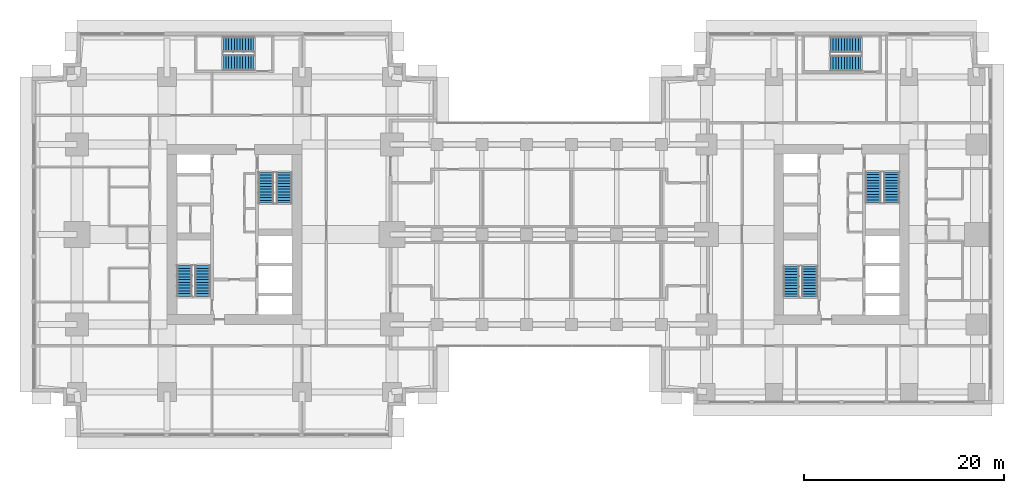
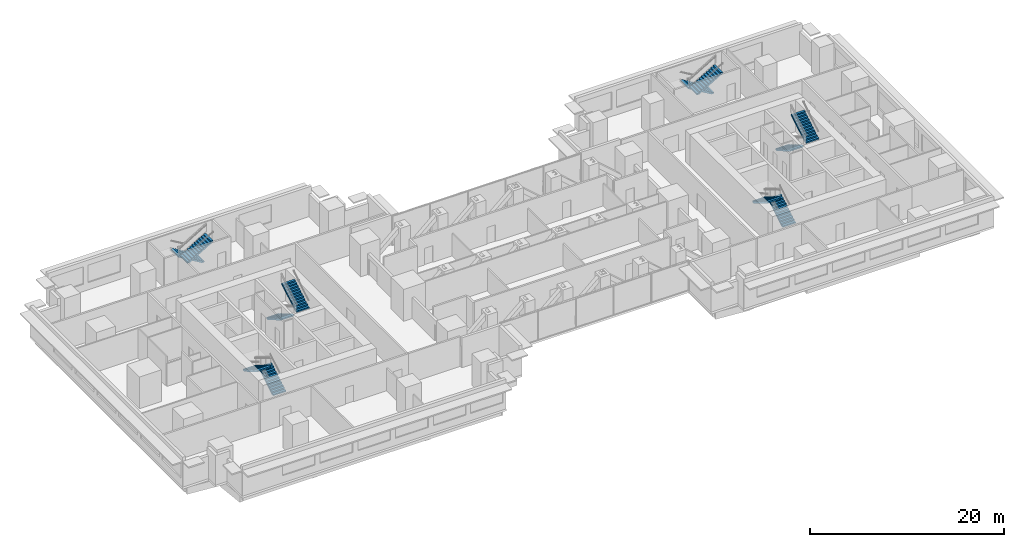
# One storey, part 13 of 16: 12 stair flights, 6 elements without a shape of their own.
"""IFC4 building model written with IfcOpenShell, lengths in metres."""

from ifc_helpers import new_model, si_unit, direction, frame, origin, place, context, subcontext, project, spatial, polyline, outline, extrude, material, type_object, element, aggregate, save


model = new_model("IFC4")

# Units and contexts
model_context = context("Model", 3, precision=1e-05, world=origin(), true_north=direction((0.0, 1.0)))
body_context = subcontext(model_context, "Body", "Model", "MODEL_VIEW")
ifc_project = project(units=[si_unit("LENGTHUNIT", "METRE"), si_unit("AREAUNIT", "SQUARE_METRE"), si_unit("VOLUMEUNIT", "CUBIC_METRE"), si_unit("PLANEANGLEUNIT", "RADIAN"), si_unit("MASSUNIT", "GRAM", prefix="KILO")], contexts=[model_context])

# Site, building, storey
site_placement = place(None, origin())
site = spatial("IfcSite", under=ifc_project, at=site_placement, CompositionType="ELEMENT")
building_placement = place(site_placement, origin())
building = spatial("IfcBuilding", under=site, at=building_placement, Name="Namib Vertical Campus", CompositionType="ELEMENT")
storey_placement = place(building_placement, frame((0.0, 0.0, 121.0)))
storey = spatial("IfcBuildingStorey", under=building, at=storey_placement, Name="L28", CompositionType="ELEMENT", Elevation=121.0)

# Stair, stair flights
ifc_material_1 = material(Name="Concrete C40/50 precast", Category="concrete")
stair_type_1 = type_object("IfcStairType", Name="Exit stair 4000 rise 24 risers 3350 wide", PredefinedType="HALF_TURN_STAIR", material=ifc_material_1)
stair_1_placement = place(storey_placement, origin())
stair_1 = element("IfcStair", 1, at=stair_1_placement, inside=storey, type_object=stair_type_1, Name="Exit stair A-S1 L28", PredefinedType="HALF_TURN_STAIR")
ifc_material_2 = material(Name="Concrete C40/50 precast", Category="concrete")
stair_flight_type_1 = type_object("IfcStairFlightType", Name="Stair flight 12 risers 167 1525 wide", PredefinedType="STRAIGHT", material=ifc_material_2)
stair_flight_1_placement = place(storey_placement, frame((17.08740234375, 14.050048828125, 0.0), z_axis=(0.0, 0.0, 1.0), x_axis=(0.0, 1.0, 0.0)))
stair_flight_1 = element("IfcStairFlight", 2, at=stair_flight_1_placement, type_object=stair_flight_type_1, Name="A-S1 flight 1", NumberOfRisers=12, NumberOfTreads=11, PredefinedType="STRAIGHT", RiserHeight=0.166666667, TreadLength=0.28, context=body_context, shape_type="SweptSolid", body=[
    extrude(outline(polyline([(0.0, 0.0), (0.0, 0.166748046875), (0.280029296875, 0.166748046875), (0.280029296875, 0.333251953125), (0.56005859375, 0.333251953125), (0.56005859375, 0.5), (0.840087890625, 0.5), (0.840087890625, 0.666748046875), (1.1201171875, 0.666748046875), (1.1201171875, 0.833251953125), (1.39990234375, 0.833251953125), (1.39990234375, 1.0), (1.679931640625, 1.0), (1.679931640625, 1.166748046875), (1.9599609375, 1.166748046875), (1.9599609375, 1.333251953125), (2.239990234375, 1.333251953125), (2.239990234375, 1.5), (2.52001953125, 1.5), (2.52001953125, 1.666748046875), (2.800048828125, 1.666748046875), (2.800048828125, 1.833251953125), (3.080078125, 1.833251953125), (3.080078125, 2.0), (3.080078125, 1.658935546875), (0.29296875, 0.0), (0.0, 0.0)])), frame((0.0, 0.762451171875, 0.0), z_axis=(0.0, -1.0, 0.0), x_axis=(1.0, 0.0, 0.0)), (0.0, 0.0, 1.0), 1.52490234375),
])
stair_flight_2_placement = place(storey_placement, frame((15.262451171875, 17.1298828125, 2.0), z_axis=(0.0, 0.0, 1.0), x_axis=(0.0, -1.0, 0.0)))
stair_flight_2 = element("IfcStairFlight", 3, at=stair_flight_2_placement, type_object=stair_flight_type_1, Name="A-S1 flight 2", NumberOfRisers=12, NumberOfTreads=11, PredefinedType="STRAIGHT", RiserHeight=0.166666667, TreadLength=0.28, context=body_context, shape_type="SweptSolid", body=[
    extrude(outline(polyline([(0.0, 0.0), (0.0, 0.166748046875), (0.280029296875, 0.166748046875), (0.280029296875, 0.333251953125), (0.56005859375, 0.333251953125), (0.56005859375, 0.5), (0.840087890625, 0.5), (0.840087890625, 0.666748046875), (1.1201171875, 0.666748046875), (1.1201171875, 0.833251953125), (1.39990234375, 0.833251953125), (1.39990234375, 1.0), (1.679931640625, 1.0), (1.679931640625, 1.166748046875), (1.9599609375, 1.166748046875), (1.9599609375, 1.333251953125), (2.239990234375, 1.333251953125), (2.239990234375, 1.5), (2.52001953125, 1.5), (2.52001953125, 1.666748046875), (2.800048828125, 1.666748046875), (2.800048828125, 1.833251953125), (3.080078125, 1.833251953125), (3.080078125, 2.0), (3.080078125, 1.658935546875), (0.29296875, 0.0), (0.0, 0.0)])), frame((0.0, 0.762451171875, 0.0), z_axis=(0.0, -1.0, 0.0), x_axis=(1.0, 0.0, 0.0)), (0.0, 0.0, 1.0), 1.52490234375),
])
aggregate(stair_1, [stair_flight_1, stair_flight_2])

stair_2_placement = place(storey_placement, origin())
stair_2 = element("IfcStair", 4, at=stair_2_placement, inside=storey, type_object=stair_type_1, Name="Exit stair A-S2 L28", PredefinedType="HALF_TURN_STAIR")
stair_flight_3_placement = place(storey_placement, frame((23.41259765625, 26.449951171875, 0.0), z_axis=(0.0, 0.0, 1.0), x_axis=(0.0, -1.0, 0.0)))
stair_flight_3 = element("IfcStairFlight", 5, at=stair_flight_3_placement, type_object=stair_flight_type_1, Name="A-S2 flight 1", NumberOfRisers=12, NumberOfTreads=11, PredefinedType="STRAIGHT", RiserHeight=0.166666667, TreadLength=0.28, context=body_context, shape_type="SweptSolid", body=[
    extrude(outline(polyline([(0.0, 0.0), (0.0, 0.166748046875), (0.280029296875, 0.166748046875), (0.280029296875, 0.333251953125), (0.56005859375, 0.333251953125), (0.56005859375, 0.5), (0.840087890625, 0.5), (0.840087890625, 0.666748046875), (1.1201171875, 0.666748046875), (1.1201171875, 0.833251953125), (1.39990234375, 0.833251953125), (1.39990234375, 1.0), (1.679931640625, 1.0), (1.679931640625, 1.166748046875), (1.9599609375, 1.166748046875), (1.9599609375, 1.333251953125), (2.239990234375, 1.333251953125), (2.239990234375, 1.5), (2.52001953125, 1.5), (2.52001953125, 1.666748046875), (2.800048828125, 1.666748046875), (2.800048828125, 1.833251953125), (3.080078125, 1.833251953125), (3.080078125, 2.0), (3.080078125, 1.658935546875), (0.29296875, 0.0), (0.0, 0.0)])), frame((0.0, 0.762451171875, 0.0), z_axis=(0.0, -1.0, 0.0), x_axis=(1.0, 0.0, 0.0)), (0.0, 0.0, 1.0), 1.52490234375),
])
stair_flight_4_placement = place(storey_placement, frame((25.237548828125, 23.3701171875, 2.0), z_axis=(0.0, 0.0, 1.0), x_axis=(0.0, 1.0, 0.0)))
stair_flight_4 = element("IfcStairFlight", 6, at=stair_flight_4_placement, type_object=stair_flight_type_1, Name="A-S2 flight 2", NumberOfRisers=12, NumberOfTreads=11, PredefinedType="STRAIGHT", RiserHeight=0.166666667, TreadLength=0.28, context=body_context, shape_type="SweptSolid", body=[
    extrude(outline(polyline([(0.0, 0.0), (0.0, 0.166748046875), (0.280029296875, 0.166748046875), (0.280029296875, 0.333251953125), (0.56005859375, 0.333251953125), (0.56005859375, 0.5), (0.840087890625, 0.5), (0.840087890625, 0.666748046875), (1.1201171875, 0.666748046875), (1.1201171875, 0.833251953125), (1.39990234375, 0.833251953125), (1.39990234375, 1.0), (1.679931640625, 1.0), (1.679931640625, 1.166748046875), (1.9599609375, 1.166748046875), (1.9599609375, 1.333251953125), (2.239990234375, 1.333251953125), (2.239990234375, 1.5), (2.52001953125, 1.5), (2.52001953125, 1.666748046875), (2.800048828125, 1.666748046875), (2.800048828125, 1.833251953125), (3.080078125, 1.833251953125), (3.080078125, 2.0), (3.080078125, 1.658935546875), (0.29296875, 0.0), (0.0, 0.0)])), frame((0.0, 0.762451171875, 0.0), z_axis=(0.0, -1.0, 0.0), x_axis=(1.0, 0.0, 0.0)), (0.0, 0.0, 1.0), 1.52490234375),
])
aggregate(stair_2, [stair_flight_3, stair_flight_4])

stair_3_placement = place(storey_placement, origin())
stair_3 = element("IfcStair", 7, at=stair_3_placement, inside=storey, type_object=stair_type_1, Name="Exit stair A-S3 L28", PredefinedType="HALF_TURN_STAIR")
stair_flight_5_placement = place(storey_placement, frame((22.199951171875, 39.237548828125, 0.0), z_axis=(0.0, 0.0, 1.0), x_axis=(-1.0, 0.0, 0.0)))
stair_flight_5 = element("IfcStairFlight", 8, at=stair_flight_5_placement, type_object=stair_flight_type_1, Name="A-S3 flight 1", NumberOfRisers=12, NumberOfTreads=11, PredefinedType="STRAIGHT", RiserHeight=0.166666667, TreadLength=0.28, context=body_context, shape_type="SweptSolid", body=[
    extrude(outline(polyline([(0.0, 0.0), (0.0, 0.166748046875), (0.280029296875, 0.166748046875), (0.280029296875, 0.333251953125), (0.56005859375, 0.333251953125), (0.56005859375, 0.5), (0.840087890625, 0.5), (0.840087890625, 0.666748046875), (1.1201171875, 0.666748046875), (1.1201171875, 0.833251953125), (1.39990234375, 0.833251953125), (1.39990234375, 1.0), (1.679931640625, 1.0), (1.679931640625, 1.166748046875), (1.9599609375, 1.166748046875), (1.9599609375, 1.333251953125), (2.239990234375, 1.333251953125), (2.239990234375, 1.5), (2.52001953125, 1.5), (2.52001953125, 1.666748046875), (2.800048828125, 1.666748046875), (2.800048828125, 1.833251953125), (3.080078125, 1.833251953125), (3.080078125, 2.0), (3.080078125, 1.658935546875), (0.29296875, 0.0), (0.0, 0.0)])), frame((0.0, 0.762451171875, 0.0), z_axis=(0.0, -1.0, 0.0), x_axis=(1.0, 0.0, 0.0)), (0.0, 0.0, 1.0), 1.52490234375),
])
stair_flight_6_placement = place(storey_placement, frame((19.1201171875, 37.41259765625, 2.0), z_axis=(0.0, 0.0, 1.0), x_axis=(1.0, 0.0, 0.0)))
stair_flight_6 = element("IfcStairFlight", 9, at=stair_flight_6_placement, type_object=stair_flight_type_1, Name="A-S3 flight 2", NumberOfRisers=12, NumberOfTreads=11, PredefinedType="STRAIGHT", RiserHeight=0.166666667, TreadLength=0.28, context=body_context, shape_type="SweptSolid", body=[
    extrude(outline(polyline([(0.0, 0.0), (0.0, 0.166748046875), (0.280029296875, 0.166748046875), (0.280029296875, 0.333251953125), (0.56005859375, 0.333251953125), (0.56005859375, 0.5), (0.840087890625, 0.5), (0.840087890625, 0.666748046875), (1.1201171875, 0.666748046875), (1.1201171875, 0.833251953125), (1.39990234375, 0.833251953125), (1.39990234375, 1.0), (1.679931640625, 1.0), (1.679931640625, 1.166748046875), (1.9599609375, 1.166748046875), (1.9599609375, 1.333251953125), (2.239990234375, 1.333251953125), (2.239990234375, 1.5), (2.52001953125, 1.5), (2.52001953125, 1.666748046875), (2.800048828125, 1.666748046875), (2.800048828125, 1.833251953125), (3.080078125, 1.833251953125), (3.080078125, 2.0), (3.080078125, 1.658935546875), (0.29296875, 0.0), (0.0, 0.0)])), frame((0.0, 0.762451171875, 0.0), z_axis=(0.0, -1.0, 0.0), x_axis=(1.0, 0.0, 0.0)), (0.0, 0.0, 1.0), 1.52490234375),
])
aggregate(stair_3, [stair_flight_5, stair_flight_6])

ifc_material_3 = material(Name="Concrete C40/50 precast", Category="concrete")
stair_type_2 = type_object("IfcStairType", Name="Exit stair 4000 rise 24 risers 3400 wide", PredefinedType="HALF_TURN_STAIR", material=ifc_material_3)
stair_4_placement = place(storey_placement, origin())
stair_4 = element("IfcStair", 10, at=stair_4_placement, inside=storey, type_object=stair_type_2, Name="Exit stair B-S1 L28", PredefinedType="HALF_TURN_STAIR")
ifc_material_4 = material(Name="Concrete C40/50 precast", Category="concrete")
stair_flight_type_2 = type_object("IfcStairFlightType", Name="Stair flight 12 risers 167 1550 wide", PredefinedType="STRAIGHT", material=ifc_material_4)
stair_flight_7_placement = place(storey_placement, frame((77.824951171875, 14.0, 0.0), z_axis=(0.0, 0.0, 1.0), x_axis=(0.0, 1.0, 0.0)))
stair_flight_7 = element("IfcStairFlight", 11, at=stair_flight_7_placement, type_object=stair_flight_type_2, Name="B-S1 flight 1", NumberOfRisers=12, NumberOfTreads=11, PredefinedType="STRAIGHT", RiserHeight=0.166666667, TreadLength=0.28, context=body_context, shape_type="SweptSolid", body=[
    extrude(outline(polyline([(0.0, 0.0), (0.0, 0.166748046875), (0.280029296875, 0.166748046875), (0.280029296875, 0.333251953125), (0.56005859375, 0.333251953125), (0.56005859375, 0.5), (0.840087890625, 0.5), (0.840087890625, 0.666748046875), (1.1201171875, 0.666748046875), (1.1201171875, 0.833251953125), (1.39990234375, 0.833251953125), (1.39990234375, 1.0), (1.679931640625, 1.0), (1.679931640625, 1.166748046875), (1.9599609375, 1.166748046875), (1.9599609375, 1.333251953125), (2.239990234375, 1.333251953125), (2.239990234375, 1.5), (2.52001953125, 1.5), (2.52001953125, 1.666748046875), (2.800048828125, 1.666748046875), (2.800048828125, 1.833251953125), (3.080078125, 1.833251953125), (3.080078125, 2.0), (3.080078125, 1.658935546875), (0.29296875, 0.0), (0.0, 0.0)])), frame((0.0, 0.77490234375, 0.0), z_axis=(0.0, -1.0, 0.0), x_axis=(1.0, 0.0, 0.0)), (0.0, 0.0, 1.0), 1.550048828125),
])
stair_flight_8_placement = place(storey_placement, frame((75.97509765625, 17.080078125, 2.0), z_axis=(0.0, 0.0, 1.0), x_axis=(0.0, -1.0, 0.0)))
stair_flight_8 = element("IfcStairFlight", 12, at=stair_flight_8_placement, type_object=stair_flight_type_2, Name="B-S1 flight 2", NumberOfRisers=12, NumberOfTreads=11, PredefinedType="STRAIGHT", RiserHeight=0.166666667, TreadLength=0.28, context=body_context, shape_type="SweptSolid", body=[
    extrude(outline(polyline([(0.0, 0.0), (0.0, 0.166748046875), (0.280029296875, 0.166748046875), (0.280029296875, 0.333251953125), (0.56005859375, 0.333251953125), (0.56005859375, 0.5), (0.840087890625, 0.5), (0.840087890625, 0.666748046875), (1.1201171875, 0.666748046875), (1.1201171875, 0.833251953125), (1.39990234375, 0.833251953125), (1.39990234375, 1.0), (1.679931640625, 1.0), (1.679931640625, 1.166748046875), (1.9599609375, 1.166748046875), (1.9599609375, 1.333251953125), (2.239990234375, 1.333251953125), (2.239990234375, 1.5), (2.52001953125, 1.5), (2.52001953125, 1.666748046875), (2.800048828125, 1.666748046875), (2.800048828125, 1.833251953125), (3.080078125, 1.833251953125), (3.080078125, 2.0), (3.080078125, 1.658935546875), (0.29296875, 0.0), (0.0, 0.0)])), frame((0.0, 0.77490234375, 0.0), z_axis=(0.0, -1.0, 0.0), x_axis=(1.0, 0.0, 0.0)), (0.0, 0.0, 1.0), 1.550048828125),
])
aggregate(stair_4, [stair_flight_7, stair_flight_8])

stair_5_placement = place(storey_placement, origin())
stair_5 = element("IfcStair", 13, at=stair_5_placement, inside=storey, type_object=stair_type_2, Name="Exit stair B-S2 L28", PredefinedType="HALF_TURN_STAIR")
stair_flight_9_placement = place(storey_placement, frame((84.175048828125, 26.5, 0.0), z_axis=(0.0, 0.0, 1.0), x_axis=(0.0, -1.0, 0.0)))
stair_flight_9 = element("IfcStairFlight", 14, at=stair_flight_9_placement, type_object=stair_flight_type_2, Name="B-S2 flight 1", NumberOfRisers=12, NumberOfTreads=11, PredefinedType="STRAIGHT", RiserHeight=0.166666667, TreadLength=0.28, context=body_context, shape_type="SweptSolid", body=[
    extrude(outline(polyline([(0.0, 0.0), (0.0, 0.166748046875), (0.280029296875, 0.166748046875), (0.280029296875, 0.333251953125), (0.56005859375, 0.333251953125), (0.56005859375, 0.5), (0.840087890625, 0.5), (0.840087890625, 0.666748046875), (1.1201171875, 0.666748046875), (1.1201171875, 0.833251953125), (1.39990234375, 0.833251953125), (1.39990234375, 1.0), (1.679931640625, 1.0), (1.679931640625, 1.166748046875), (1.9599609375, 1.166748046875), (1.9599609375, 1.333251953125), (2.239990234375, 1.333251953125), (2.239990234375, 1.5), (2.52001953125, 1.5), (2.52001953125, 1.666748046875), (2.800048828125, 1.666748046875), (2.800048828125, 1.833251953125), (3.080078125, 1.833251953125), (3.080078125, 2.0), (3.080078125, 1.658935546875), (0.29296875, 0.0), (0.0, 0.0)])), frame((0.0, 0.77490234375, 0.0), z_axis=(0.0, -1.0, 0.0), x_axis=(1.0, 0.0, 0.0)), (0.0, 0.0, 1.0), 1.550048828125),
])
stair_flight_10_placement = place(storey_placement, frame((86.02490234375, 23.419921875, 2.0), z_axis=(0.0, 0.0, 1.0), x_axis=(0.0, 1.0, 0.0)))
stair_flight_10 = element("IfcStairFlight", 15, at=stair_flight_10_placement, type_object=stair_flight_type_2, Name="B-S2 flight 2", NumberOfRisers=12, NumberOfTreads=11, PredefinedType="STRAIGHT", RiserHeight=0.166666667, TreadLength=0.28, context=body_context, shape_type="SweptSolid", body=[
    extrude(outline(polyline([(0.0, 0.0), (0.0, 0.166748046875), (0.280029296875, 0.166748046875), (0.280029296875, 0.333251953125), (0.56005859375, 0.333251953125), (0.56005859375, 0.5), (0.840087890625, 0.5), (0.840087890625, 0.666748046875), (1.1201171875, 0.666748046875), (1.1201171875, 0.833251953125), (1.39990234375, 0.833251953125), (1.39990234375, 1.0), (1.679931640625, 1.0), (1.679931640625, 1.166748046875), (1.9599609375, 1.166748046875), (1.9599609375, 1.333251953125), (2.239990234375, 1.333251953125), (2.239990234375, 1.5), (2.52001953125, 1.5), (2.52001953125, 1.666748046875), (2.800048828125, 1.666748046875), (2.800048828125, 1.833251953125), (3.080078125, 1.833251953125), (3.080078125, 2.0), (3.080078125, 1.658935546875), (0.29296875, 0.0), (0.0, 0.0)])), frame((0.0, 0.77490234375, 0.0), z_axis=(0.0, -1.0, 0.0), x_axis=(1.0, 0.0, 0.0)), (0.0, 0.0, 1.0), 1.550048828125),
])
aggregate(stair_5, [stair_flight_9, stair_flight_10])

stair_6_placement = place(storey_placement, origin())
stair_6 = element("IfcStair", 16, at=stair_6_placement, inside=storey, type_object=stair_type_2, Name="Exit stair B-S3 L28", PredefinedType="HALF_TURN_STAIR")
stair_flight_11_placement = place(storey_placement, frame((82.949951171875, 39.22509765625, 0.0), z_axis=(0.0, 0.0, 1.0), x_axis=(-1.0, 0.0, 0.0)))
stair_flight_11 = element("IfcStairFlight", 17, at=stair_flight_11_placement, type_object=stair_flight_type_2, Name="B-S3 flight 1", NumberOfRisers=12, NumberOfTreads=11, PredefinedType="STRAIGHT", RiserHeight=0.166666667, TreadLength=0.28, context=body_context, shape_type="SweptSolid", body=[
    extrude(outline(polyline([(0.0, 0.0), (0.0, 0.166748046875), (0.280029296875, 0.166748046875), (0.280029296875, 0.333251953125), (0.56005859375, 0.333251953125), (0.56005859375, 0.5), (0.840087890625, 0.5), (0.840087890625, 0.666748046875), (1.1201171875, 0.666748046875), (1.1201171875, 0.833251953125), (1.39990234375, 0.833251953125), (1.39990234375, 1.0), (1.679931640625, 1.0), (1.679931640625, 1.166748046875), (1.9599609375, 1.166748046875), (1.9599609375, 1.333251953125), (2.239990234375, 1.333251953125), (2.239990234375, 1.5), (2.52001953125, 1.5), (2.52001953125, 1.666748046875), (2.800048828125, 1.666748046875), (2.800048828125, 1.833251953125), (3.080078125, 1.833251953125), (3.080078125, 2.0), (3.080078125, 1.658935546875), (0.29296875, 0.0), (0.0, 0.0)])), frame((0.0, 0.77490234375, 0.0), z_axis=(0.0, -1.0, 0.0), x_axis=(1.0, 0.0, 0.0)), (0.0, 0.0, 1.0), 1.550048828125),
])
stair_flight_12_placement = place(storey_placement, frame((79.8701171875, 37.375, 2.0), z_axis=(0.0, 0.0, 1.0), x_axis=(1.0, 0.0, 0.0)))
stair_flight_12 = element("IfcStairFlight", 18, at=stair_flight_12_placement, type_object=stair_flight_type_2, Name="B-S3 flight 2", NumberOfRisers=12, NumberOfTreads=11, PredefinedType="STRAIGHT", RiserHeight=0.166666667, TreadLength=0.28, context=body_context, shape_type="SweptSolid", body=[
    extrude(outline(polyline([(0.0, 0.0), (0.0, 0.166748046875), (0.280029296875, 0.166748046875), (0.280029296875, 0.333251953125), (0.56005859375, 0.333251953125), (0.56005859375, 0.5), (0.840087890625, 0.5), (0.840087890625, 0.666748046875), (1.1201171875, 0.666748046875), (1.1201171875, 0.833251953125), (1.39990234375, 0.833251953125), (1.39990234375, 1.0), (1.679931640625, 1.0), (1.679931640625, 1.166748046875), (1.9599609375, 1.166748046875), (1.9599609375, 1.333251953125), (2.239990234375, 1.333251953125), (2.239990234375, 1.5), (2.52001953125, 1.5), (2.52001953125, 1.666748046875), (2.800048828125, 1.666748046875), (2.800048828125, 1.833251953125), (3.080078125, 1.833251953125), (3.080078125, 2.0), (3.080078125, 1.658935546875), (0.29296875, 0.0), (0.0, 0.0)])), frame((0.0, 0.77490234375, 0.0), z_axis=(0.0, -1.0, 0.0), x_axis=(1.0, 0.0, 0.0)), (0.0, 0.0, 1.0), 1.550048828125),
])
aggregate(stair_6, [stair_flight_11, stair_flight_12])

save(model, "model.ifc")
